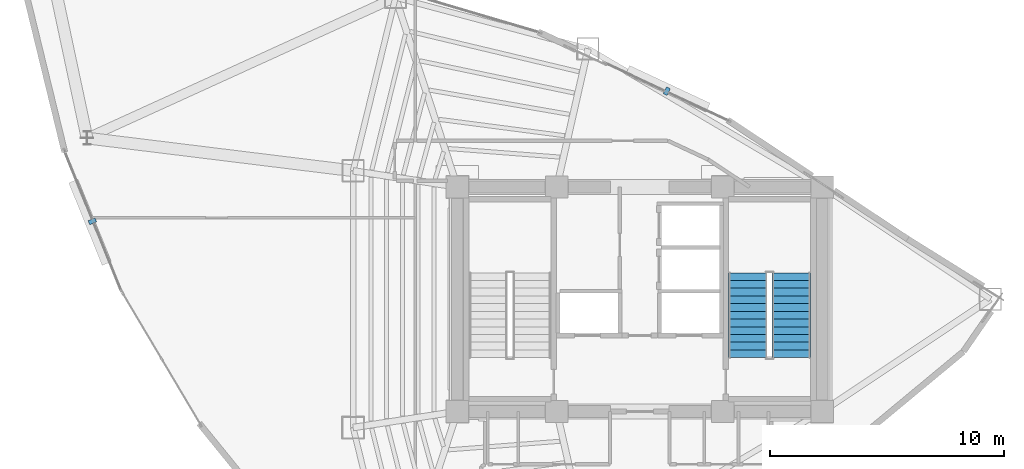
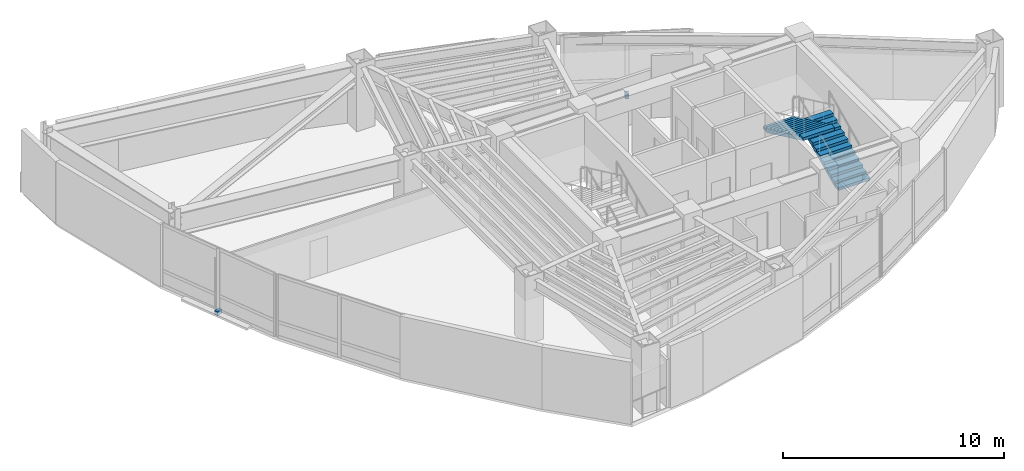
# One storey, part 14 of 16: 2 discrete accessories, 2 stair flights, 1 element without a shape of its own.
"""IFC4 building model written with IfcOpenShell, lengths in metres."""

import ifcopenshell
import ifcopenshell.guid

model = None  # the IFC model being written
_history = None  # IfcOwnerHistory: only IFC2X3 demands one
_inside = {}  # id of a spatial element -> (the spatial element, [elements in it])
_under = {}  # id of a project, library or spatial element -> (it, [spatial elements below it])
_declared = {}  # id of a project -> (the project, [libraries it declares])
_typed = {}  # id of a type object -> (the type object, [elements of that type])
_made_of = {}  # id of a material, layer set ... -> (it, [elements and type objects made of it])


def new_model(schema):
    """Start an empty IFC model of exactly this schema.

    Asked for "IFC4X3", IfcOpenShell would pick the latest addendum, in which some entities
    have other attributes; the version numbers below select the first issue.
    IFC2X3 requires an IfcOwnerHistory on every rooted entity: one is made here for all.
    """
    global model, _history
    if schema == "IFC4X3":
        model = ifcopenshell.file(schema_version=(4, 3, 0, 0))
    else:
        model = ifcopenshell.file(schema=schema)
    _inside.clear()
    _under.clear()
    _declared.clear()
    _typed.clear()
    _made_of.clear()
    _history = None
    if model.schema == "IFC2X3":
        org = make("IfcOrganization", Name="unknown")
        user = make(
            "IfcPersonAndOrganization",
            ThePerson=make("IfcPerson", FamilyName="unknown"),
            TheOrganization=org,
        )
        app = make(
            "IfcApplication",
            ApplicationDeveloper=org,
            Version="unknown",
            ApplicationFullName="unknown",
            ApplicationIdentifier="unknown",
        )
        _history = make(
            "IfcOwnerHistory",
            OwningUser=user,
            OwningApplication=app,
            ChangeAction="ADDED",
            CreationDate=0,
        )
    return model


def make(cls, **values):
    """One entity of the class cls with the attributes given. An attribute that is None is left unset."""
    return model.create_entity(
        cls, **{name: value for name, value in values.items() if value is not None}
    )


def rooted(cls, **values):
    """An entity with a GlobalId (a new one), such as an element, a storey or a relation."""
    return make(cls, GlobalId=ifcopenshell.guid.new(), OwnerHistory=_history, **values)


def si_unit(unit_type, name, prefix=None):
    """IfcSIUnit, for example si_unit("LENGTHUNIT", "METRE", prefix="MILLI")."""
    return make("IfcSIUnit", UnitType=unit_type, Prefix=prefix, Name=name)


def assignment(units):
    """IfcUnitAssignment: the units of a project."""
    return None if units is None else make("IfcUnitAssignment", Units=units)


def point(xyz):
    """IfcCartesianPoint."""
    return None if xyz is None else make("IfcCartesianPoint", Coordinates=xyz)


def direction(xyz):
    """IfcDirection."""
    return None if xyz is None else make("IfcDirection", DirectionRatios=xyz)


def frame(location, z_axis=None, x_axis=None):
    """IfcAxis2Placement3D, a coordinate frame: its origin and axes. An axis left out is left unset."""
    return make(
        "IfcAxis2Placement3D",
        Location=point(location),
        Axis=direction(z_axis),
        RefDirection=direction(x_axis),
    )


def frame_2d(location, x_axis=None):
    """IfcAxis2Placement2D, a coordinate frame in the plane: its origin and x axis."""
    return make(
        "IfcAxis2Placement2D", Location=point(location), RefDirection=direction(x_axis)
    )


def origin():
    """The frame at (0, 0, 0) with its axes left unset."""
    return frame((0.0, 0.0, 0.0))


def origin_2d():
    """The frame at (0, 0) in the plane with its x axis left unset."""
    return frame_2d((0.0, 0.0))


def place(relative_to, where):
    """IfcLocalPlacement: puts the frame where relative to a parent placement (None: the world)."""
    return make(
        "IfcLocalPlacement", PlacementRelTo=relative_to, RelativePlacement=where
    )


def context(
    kind, dimensions, precision=None, world=None, true_north=None, identifier=None
):
    """IfcGeometricRepresentationContext, for example the 3D "Model" context."""
    return make(
        "IfcGeometricRepresentationContext",
        ContextIdentifier=identifier,
        ContextType=kind,
        CoordinateSpaceDimension=dimensions,
        Precision=precision,
        WorldCoordinateSystem=world,
        TrueNorth=true_north,
    )


def subcontext(parent, identifier, kind, view, scale=None):
    """IfcGeometricRepresentationSubContext, for example "Body" below "Model"."""
    return make(
        "IfcGeometricRepresentationSubContext",
        ContextIdentifier=identifier,
        ContextType=kind,
        ParentContext=parent,
        TargetScale=scale,
        TargetView=view,
    )


def project(units=None, contexts=None):
    """IfcProject with its units and contexts."""
    return rooted(
        "IfcProject",
        Name="project",
        RepresentationContexts=contexts,
        UnitsInContext=assignment(units),
    )


def spatial(cls, under=None, at=None, **own):
    """A site, building, storey or space (cls), placed at a placement, below another one or the project."""
    s = rooted(cls, ObjectPlacement=at, **own)
    if under is not None:
        _under.setdefault(under.id(), (under, []))[1].append(s)
    return s


def polyline(points):
    """IfcPolyline through the points."""
    return make("IfcPolyline", Points=[point(p) for p in points])


def profile(cls, at=None, kind="AREA", **sizes):
    """A parametric profile (cls). Its sizes go by their IFC names, for example OverallWidth=200.0."""
    return make(cls, ProfileType=kind, Position=at, **sizes)


def rectangle(**sizes):
    """IfcRectangleProfileDef."""
    return profile("IfcRectangleProfileDef", **sizes)


def outline(outer, holes=None, kind="AREA"):
    """IfcArbitraryClosedProfileDef: a profile drawn as a closed curve; with holes, ...WithVoids."""
    if holes is None:
        return make("IfcArbitraryClosedProfileDef", ProfileType=kind, OuterCurve=outer)
    return make(
        "IfcArbitraryProfileDefWithVoids",
        ProfileType=kind,
        OuterCurve=outer,
        InnerCurves=holes,
    )


def extrude(swept, where, along, depth):
    """IfcExtrudedAreaSolid: the profile swept, set in the frame where, extruded along a direction by depth."""
    return make(
        "IfcExtrudedAreaSolid",
        SweptArea=swept,
        Position=where,
        ExtrudedDirection=direction(along),
        Depth=depth,
    )


def shape(context_of_items, identifier, shape_type, items):
    """IfcShapeRepresentation: the items that make up one representation, for example the "Body"."""
    return make(
        "IfcShapeRepresentation",
        ContextOfItems=context_of_items,
        RepresentationIdentifier=identifier,
        RepresentationType=shape_type,
        Items=items,
    )


def material(Name=None, Category=None):
    """IfcMaterial."""
    return make("IfcMaterial", Name=Name, Category=Category)


def made_of(thing, what):
    """Note that an element or type object is made of a material, layer set ...; save() writes the relation."""
    if what is not None:
        _made_of.setdefault(what.id(), (what, []))[1].append(thing)
    return thing


def type_object(cls, material=None, **own):
    """A type object (cls), such as IfcWallType, which elements share."""
    return made_of(rooted(cls, **own), material)


def element(
    cls,
    number,
    at=None,
    inside=None,
    cuts=None,
    type_object=None,
    material=None,
    context=None,
    identifier="Body",
    shape_type=None,
    held_by="IfcProductDefinitionShape",
    body=None,
    shapes=None,
    **own,
):
    """One element of the class cls, such as IfcWall. Its Tag is "e" and its number.

    at: its placement. inside: the storey or other place that contains it. cuts: it is an
    opening in that element (IfcRelVoidsElement). A single representation is given by context,
    identifier, shape_type and body (its items); several are given by shapes. held_by: the class
    of the entity that holds the representations. save() writes the other relations.
    """
    e = rooted(cls, Tag="e%d" % number, ObjectPlacement=at, **own)
    if body is not None:
        shapes = [shape(context, identifier, shape_type, body)]
    if shapes is not None:
        e.Representation = make(held_by, Representations=shapes)
    if inside is not None:
        _inside.setdefault(inside.id(), (inside, []))[1].append(e)
    if cuts is not None:
        rooted(
            "IfcRelVoidsElement", RelatingBuildingElement=cuts, RelatedOpeningElement=e
        )
    if type_object is not None:
        _typed.setdefault(type_object.id(), (type_object, []))[1].append(e)
    return made_of(e, material)


def aggregate(whole, parts):
    """IfcRelAggregates: a whole, such as a stair, and the parts it consists of."""
    return rooted("IfcRelAggregates", RelatingObject=whole, RelatedObjects=parts)


def save(model, path):
    """Write the relations noted so far, then the file.

    IfcRelAggregates (storeys below a building ...), IfcRelContainedInSpatialStructure (elements
    in a storey), IfcRelDefinesByType, IfcRelAssociatesMaterial and IfcRelDeclares: one each for
    every whole, place, type object, material and project.
    """
    for whole, parts in _under.values():
        aggregate(whole, parts)
    for where, things in _inside.values():
        rooted(
            "IfcRelContainedInSpatialStructure",
            RelatedElements=things,
            RelatingStructure=where,
        )
    for kind, things in _typed.values():
        rooted("IfcRelDefinesByType", RelatedObjects=things, RelatingType=kind)
    for what, things in _made_of.values():
        rooted("IfcRelAssociatesMaterial", RelatedObjects=things, RelatingMaterial=what)
    for by, libraries in _declared.values():
        rooted("IfcRelDeclares", RelatingContext=by, RelatedDefinitions=libraries)
    model.write(path)


model = new_model("IFC4")

# Units and contexts
model_context = context("Model", 3, precision=1e-05, world=origin(), true_north=direction((0.0, 1.0)))
body_context = subcontext(model_context, "Body", "Model", "MODEL_VIEW")
ifc_project = project(units=[si_unit("LENGTHUNIT", "METRE"), si_unit("AREAUNIT", "SQUARE_METRE"), si_unit("VOLUMEUNIT", "CUBIC_METRE"), si_unit("PLANEANGLEUNIT", "RADIAN"), si_unit("MASSUNIT", "GRAM", prefix="KILO")], contexts=[model_context])

# Site, building, storey
site_placement = place(None, origin())
site = spatial("IfcSite", under=ifc_project, at=site_placement, CompositionType="ELEMENT")
building_placement = place(site_placement, origin())
building = spatial("IfcBuilding", under=site, at=building_placement, Name="Menara Vayukalpa", CompositionType="ELEMENT")
storey_placement = place(building_placement, frame((0.0, 0.0, 202.679931640625)))
storey = spatial("IfcBuildingStorey", under=building, at=storey_placement, Name="L51", CompositionType="ELEMENT", Elevation=202.679931640625)

# Stair, stair flights
ifc_material_1 = material(Name="Precast Concrete C40/50", Category="concrete")
stair_type = type_object("IfcStairType", Name="STR-T04", PredefinedType="DOUBLE_RETURN_STAIR", material=ifc_material_1)
stair_placement = place(storey_placement, origin())
stair = element("IfcStair", 1, at=stair_placement, inside=storey, type_object=stair_type, Name="L51 Core Exit Stair ST-2", PredefinedType="DOUBLE_RETURN_STAIR")
ifc_material_2 = material(Name="Precast Concrete C40/50", Category="concrete")
stair_flight_type = type_object("IfcStairFlightType", Name="STF-T04", PredefinedType="STRAIGHT", material=ifc_material_2)
stair_flight_1_placement = place(storey_placement, frame((32.074951171875, 19.5, 0.0), z_axis=(0.0, 0.0, 1.0), x_axis=(0.0, 1.0, 0.0)))
stair_flight_1 = element("IfcStairFlight", 2, at=stair_flight_1_placement, type_object=stair_flight_type, Name="ST-2 flight 1", NumberOfRisers=12, NumberOfTreads=11, PredefinedType="STRAIGHT", RiserHeight=0.155, TreadLength=0.33, context=body_context, shape_type="SweptSolid", body=[
    extrude(outline(polyline([(0.0, 0.0), (0.0, 0.155029296875), (0.330078125, 0.155029296875), (0.330078125, 0.31005859375), (0.659912109375, 0.31005859375), (0.659912109375, 0.465087890625), (0.989990234375, 0.465087890625), (0.989990234375, 0.6201171875), (1.320068359375, 0.6201171875), (1.320068359375, 0.77490234375), (1.64990234375, 0.77490234375), (1.64990234375, 0.929931640625), (1.97998046875, 0.929931640625), (1.97998046875, 1.0849609375), (2.31005859375, 1.0849609375), (2.31005859375, 1.239990234375), (2.639892578125, 1.239990234375), (2.639892578125, 1.39501953125), (2.969970703125, 1.39501953125), (2.969970703125, 1.550048828125), (3.300048828125, 1.550048828125), (3.300048828125, 1.705078125), (3.6298828125, 1.705078125), (3.6298828125, 1.860107421875), (3.6298828125, 1.539306640625), (0.3525390625, 0.0), (0.0, 0.0)])), frame((0.0, 0.824951171875, 0.0), z_axis=(0.0, -1.0, 0.0), x_axis=(1.0, 0.0, 0.0)), (0.0, 0.0, 1.0), 1.64990234375),
])
stair_flight_2_placement = place(storey_placement, frame((30.22509765625, 23.1298828125, 1.860107421875), z_axis=(0.0, 0.0, 1.0), x_axis=(0.0, -1.0, 0.0)))
stair_flight_2 = element("IfcStairFlight", 3, at=stair_flight_2_placement, type_object=stair_flight_type, Name="ST-2 flight 2", NumberOfRisers=12, NumberOfTreads=11, PredefinedType="STRAIGHT", RiserHeight=0.155, TreadLength=0.33, context=body_context, shape_type="SweptSolid", body=[
    extrude(outline(polyline([(0.0, 0.0), (0.0, 0.155029296875), (0.330078125, 0.155029296875), (0.330078125, 0.31005859375), (0.659912109375, 0.31005859375), (0.659912109375, 0.465087890625), (0.989990234375, 0.465087890625), (0.989990234375, 0.6201171875), (1.320068359375, 0.6201171875), (1.320068359375, 0.77490234375), (1.64990234375, 0.77490234375), (1.64990234375, 0.929931640625), (1.97998046875, 0.929931640625), (1.97998046875, 1.0849609375), (2.31005859375, 1.0849609375), (2.31005859375, 1.239990234375), (2.639892578125, 1.239990234375), (2.639892578125, 1.39501953125), (2.969970703125, 1.39501953125), (2.969970703125, 1.550048828125), (3.300048828125, 1.550048828125), (3.300048828125, 1.705078125), (3.6298828125, 1.705078125), (3.6298828125, 1.860107421875), (3.6298828125, 1.539306640625), (0.3525390625, 0.0), (0.0, 0.0)])), frame((0.0, 0.824951171875, 0.0), z_axis=(0.0, -1.0, 0.0), x_axis=(1.0, 0.0, 0.0)), (0.0, 0.0, 1.0), 1.64990234375),
])
aggregate(stair, [stair_flight_1, stair_flight_2])

# Discrete accessories
ifc_material_3 = material(Name="Stainless Steel 316 Sunshade Bracket", Category="steel")
discrete_accessory_type = type_object("IfcDiscreteAccessoryType", Name="ACC-BRK1", PredefinedType="BRACKET", material=ifc_material_3)
for number, where, z_axis, x_axis, name in (
    (4, (26.754638671875, 30.8955078125, -0.16015625), (0.0, 0.0, 1.0), (-0.905783389628, 0.423741018871, 0.0), "L51 Terracotta Sunshade Bracket 05"),
    (5, (2.1953125, 25.329345703125, -0.16015625), (0.0, 0.0, 1.0), (0.376094891671, -0.926581152657, 0.0), "L51 Terracotta Sunshade Bracket 13"),
):
    element("IfcDiscreteAccessory", number, at=place(storey_placement, frame(where, z_axis=z_axis, x_axis=x_axis)), inside=storey, type_object=discrete_accessory_type, Name=name, PredefinedType="BRACKET", context=body_context, shape_type="SweptSolid", body=[
        extrude(rectangle(XDim=0.179931640625, YDim=0.320068359375, at=origin_2d()), origin(), (0.0, 0.0, 1.0), 0.219970703125),
    ])

save(model, "model.ifc")
